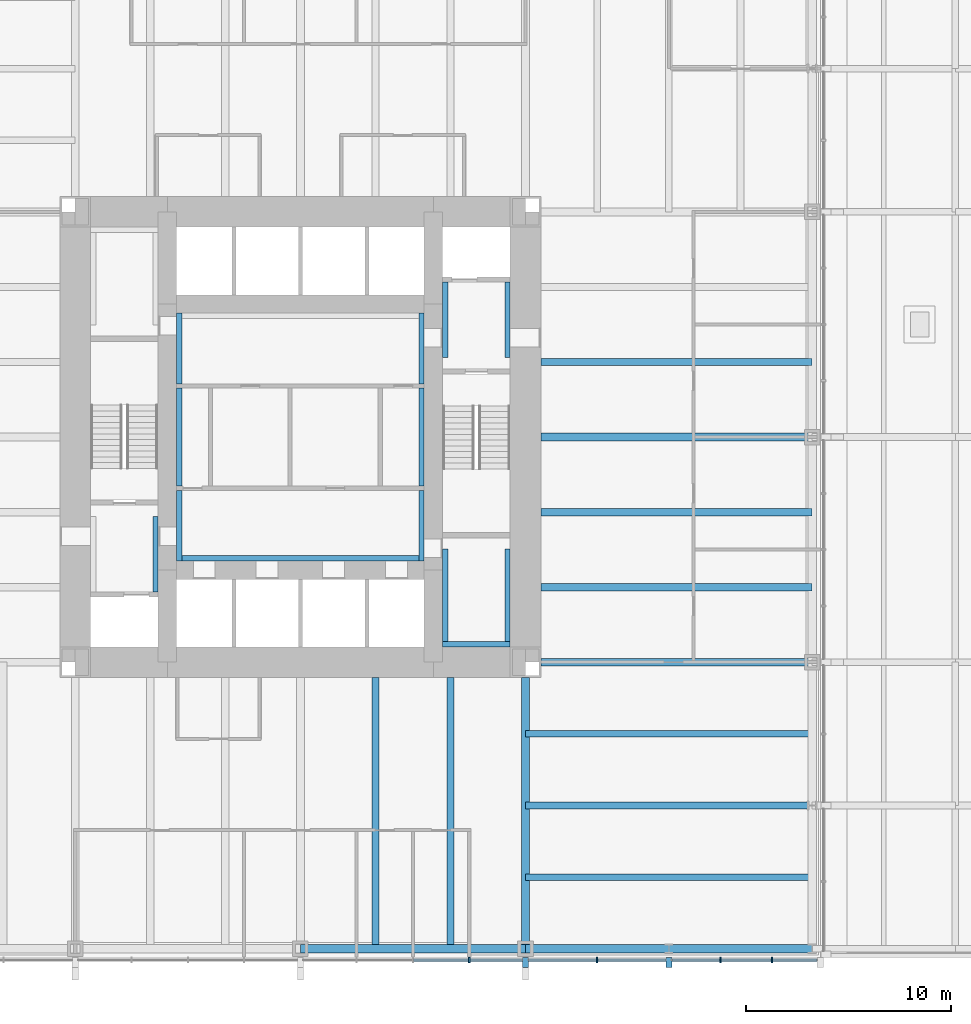
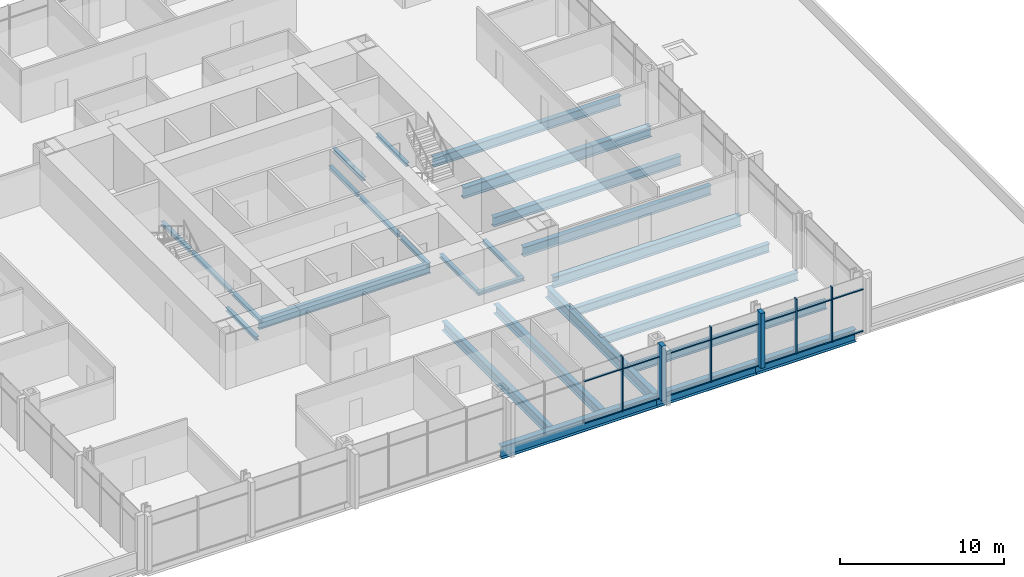
# One storey, part 4 of 15: 27 beams, 20 members, 1 element without a shape of its own.
"""IFC4 building model written with IfcOpenShell, lengths in metres."""

from ifc_helpers import new_model, si_unit, direction, frame, origin, origin_2d, place, context, subcontext, project, spatial, rectangle, i_section, extrude, material, material_profile, profile_set, type_object, element, aggregate, save


model = new_model("IFC4")

# Units and contexts
model_context = context("Model", 3, precision=1e-05, world=origin(), true_north=direction((0.0, 1.0)))
body_context = subcontext(model_context, "Body", "Model", "MODEL_VIEW")
ifc_project = project(units=[si_unit("LENGTHUNIT", "METRE"), si_unit("AREAUNIT", "SQUARE_METRE"), si_unit("VOLUMEUNIT", "CUBIC_METRE"), si_unit("PLANEANGLEUNIT", "RADIAN"), si_unit("MASSUNIT", "GRAM", prefix="KILO")], contexts=[model_context])

# Site, building, storey
site_placement = place(None, origin())
site = spatial("IfcSite", under=ifc_project, at=site_placement, CompositionType="ELEMENT")
building_placement = place(site_placement, origin())
building = spatial("IfcBuilding", under=site, at=building_placement, Name="Trevanion Tower", CompositionType="ELEMENT")
storey_placement = place(building_placement, frame((0.0, 0.0, 16.0)))
storey = spatial("IfcBuildingStorey", under=building, at=storey_placement, Name="L03", CompositionType="ELEMENT", Elevation=16.0)

# Beams
ifc_material_1 = material(Name="Steel ASTM A992 Grade 50", Category="steel")
ifc_material_profile_1 = material_profile(ifc_material_1, i_section(OverallWidth=0.355712890625, OverallDepth=0.700927734375, WebThickness=0.016845703125, FlangeThickness=0.02734375, at=origin_2d()), Name="W27X161")
ifc_profile_set_1 = profile_set([ifc_material_profile_1], Name="Steel ASTM A992 Grade 50")
beam_type_1 = type_object("IfcBeamType", Name="B1 W27X161", PredefinedType="BEAM", material=ifc_profile_set_1)
for number, where, z_axis, x_axis, name in (
    (1, (11.75, -7.333251953125, -0.54052734375), (1.0, 0.0, 0.0), (0.0, 1.0, 0.0), "B1 L03"),
    (2, (11.75, -3.666748046875, -0.54052734375), (1.0, 0.0, 0.0), (0.0, 1.0, 0.0), "B1 L03"),
    (3, (11.75, 3.666748046875, -0.54052734375), (1.0, 0.0, 0.0), (0.0, 1.0, 0.0), "B1 L03"),
    (4, (3.666748046875, -11.75, -0.54052734375), (0.0, -1.0, 0.0), (1.0, 0.0, 0.0), "B1 L03"),
    (5, (7.333251953125, -11.75, -0.54052734375), (0.0, -1.0, 0.0), (1.0, 0.0, 0.0), "B1 L03"),
):
    element("IfcBeam", number, at=place(storey_placement, frame(where, z_axis=z_axis, x_axis=x_axis)), inside=storey, type_object=beam_type_1, Name=name, PredefinedType="BEAM", context=body_context, shape_type="SweptSolid", body=[
        extrude(i_section(OverallWidth=0.355712890625, OverallDepth=0.700927734375, WebThickness=0.016845703125, FlangeThickness=0.02734375, at=origin_2d()), origin(), (0.0, 0.0, 1.0), 13.25),
    ])
ifc_material_2 = material(Name="Steel ASTM A992 Grade 50", Category="steel")
ifc_material_profile_2 = material_profile(ifc_material_2, i_section(OverallWidth=0.32763671875, OverallDepth=0.62744140625, WebThickness=0.0166015625, FlangeThickness=0.027587890625, at=origin_2d()), Name="W24X146")
ifc_profile_set_2 = profile_set([ifc_material_profile_2], Name="Steel ASTM A992 Grade 50")
beam_type_2 = type_object("IfcBeamType", Name="B2 W24X146", PredefinedType="BEAM", material=ifc_profile_set_2)
for number, where, z_axis, x_axis, name in (
    (6, (11.0, -14.5, -0.503662109375), (1.0, 0.0, 0.0), (0.0, 1.0, 0.0), "B2 L03"),
    (7, (11.0, -18.0, -0.503662109375), (1.0, 0.0, 0.0), (0.0, 1.0, 0.0), "B2 L03"),
    (8, (11.0, -21.5, -0.503662109375), (1.0, 0.0, 0.0), (0.0, 1.0, 0.0), "B2 L03"),
):
    element("IfcBeam", number, at=place(storey_placement, frame(where, z_axis=z_axis, x_axis=x_axis)), inside=storey, type_object=beam_type_2, Name=name, PredefinedType="BEAM", context=body_context, shape_type="SweptSolid", body=[
        extrude(i_section(OverallWidth=0.32763671875, OverallDepth=0.62744140625, WebThickness=0.0166015625, FlangeThickness=0.027587890625, at=origin_2d()), origin(), (0.0, 0.0, 1.0), 14.0),
    ])

# Curtain wall, members
ifc_material_3 = material(Name="Aluminium and glass", Category="aluminium")
curtain_wall_type = type_object("IfcCurtainWallType", Name="CW1 curtain wall", PredefinedType="USERDEFINED", material=ifc_material_3)
curtain_wall_placement = place(storey_placement, origin())
curtain_wall = element("IfcCurtainWall", 9, at=curtain_wall_placement, inside=storey, type_object=curtain_wall_type, Name="CW1 L03 3", ObjectType="UNITISED CURTAIN WALL", PredefinedType="USERDEFINED")
ifc_material_4 = material(Name="Aluminium extrusion, anodised bronze", Category="aluminium")
ifc_material_profile_3 = material_profile(ifc_material_4, rectangle(XDim=0.074951171875, YDim=0.25, at=origin_2d()), Name="CW1 mullion")
ifc_profile_set_3 = profile_set([ifc_material_profile_3], Name="Aluminium extrusion, anodised bronze")
member_type_1 = type_object("IfcMemberType", Name="CW1 mullion", PredefinedType="MULLION", material=ifc_profile_set_3)
member_1_placement = place(storey_placement, frame((8.25, -25.550048828125, -0.18994140625), z_axis=(0.0, 0.0, 1.0), x_axis=(1.0, 0.0, 0.0)))
member_1 = element("IfcMember", 10, at=member_1_placement, type_object=member_type_1, Name="CW1 mullion 12", PredefinedType="MULLION", context=body_context, shape_type="SweptSolid", body=[
    extrude(rectangle(XDim=0.074951171875, YDim=0.25, at=origin_2d()), origin(), (0.0, 0.0, 1.0), 4.099853515625),
])
member_2_placement = place(storey_placement, frame((14.5, -25.550048828125, -0.18994140625), z_axis=(0.0, 0.0, 1.0), x_axis=(1.0, 0.0, 0.0)))
member_2 = element("IfcMember", 11, at=member_2_placement, type_object=member_type_1, Name="CW1 mullion 14", PredefinedType="MULLION", context=body_context, shape_type="SweptSolid", body=[
    extrude(rectangle(XDim=0.074951171875, YDim=0.25, at=origin_2d()), origin(), (0.0, 0.0, 1.0), 4.099853515625),
])
member_3_placement = place(storey_placement, frame((20.5166015625, -25.550048828125, -0.18994140625), z_axis=(0.0, 0.0, 1.0), x_axis=(1.0, 0.0, 0.0)))
member_3 = element("IfcMember", 12, at=member_3_placement, type_object=member_type_1, Name="CW1 mullion 16", PredefinedType="MULLION", context=body_context, shape_type="SweptSolid", body=[
    extrude(rectangle(XDim=0.074951171875, YDim=0.25, at=origin_2d()), origin(), (0.0, 0.0, 1.0), 4.099853515625),
])
member_4_placement = place(storey_placement, frame((23.033203125, -25.550048828125, -0.18994140625), z_axis=(0.0, 0.0, 1.0), x_axis=(1.0, 0.0, 0.0)))
member_4 = element("IfcMember", 13, at=member_4_placement, type_object=member_type_1, Name="CW1 mullion 17", PredefinedType="MULLION", context=body_context, shape_type="SweptSolid", body=[
    extrude(rectangle(XDim=0.074951171875, YDim=0.25, at=origin_2d()), origin(), (0.0, 0.0, 1.0), 4.099853515625),
])
ifc_material_5 = material(Name="Aluminium extrusion, anodised bronze", Category="aluminium")
ifc_material_profile_4 = material_profile(ifc_material_5, rectangle(XDim=0.300048828125, YDim=0.5, at=origin_2d()), Name="CW1 pier mullion")
ifc_profile_set_4 = profile_set([ifc_material_profile_4], Name="Aluminium extrusion, anodised bronze")
member_type_2 = type_object("IfcMemberType", Name="CW1 pier mullion", PredefinedType="MULLION", material=ifc_profile_set_4)
member_5_placement = place(storey_placement, frame((11.0, -25.675048828125, -0.18994140625), z_axis=(0.0, 0.0, 1.0), x_axis=(1.0, 0.0, 0.0)))
member_5 = element("IfcMember", 14, at=member_5_placement, type_object=member_type_2, Name="CW1 pier mullion 13", PredefinedType="MULLION", context=body_context, shape_type="SweptSolid", body=[
    extrude(rectangle(XDim=0.300048828125, YDim=0.5, at=origin_2d()), origin(), (0.0, 0.0, 1.0), 4.099853515625),
])
member_6_placement = place(storey_placement, frame((18.0, -25.675048828125, -0.18994140625), z_axis=(0.0, 0.0, 1.0), x_axis=(1.0, 0.0, 0.0)))
member_6 = element("IfcMember", 15, at=member_6_placement, type_object=member_type_2, Name="CW1 pier mullion 15", PredefinedType="MULLION", context=body_context, shape_type="SweptSolid", body=[
    extrude(rectangle(XDim=0.300048828125, YDim=0.5, at=origin_2d()), origin(), (0.0, 0.0, 1.0), 4.099853515625),
])
ifc_material_6 = material(Name="Aluminium extrusion, anodised bronze", Category="aluminium")
ifc_material_profile_5 = material_profile(ifc_material_6, rectangle(XDim=0.14990234375, YDim=0.074951171875, at=origin_2d()), Name="CW1 transom")
ifc_profile_set_5 = profile_set([ifc_material_profile_5], Name="Aluminium extrusion, anodised bronze")
member_type_3 = type_object("IfcMemberType", Name="CW1 transom", PredefinedType="USERDEFINED", material=ifc_profile_set_5)
member_7_placement = place(storey_placement, frame((5.53759765625, -25.550048828125, -0.152587890625), z_axis=(1.0, 0.0, 0.0), x_axis=(0.0, 1.0, 0.0)))
member_7 = element("IfcMember", 16, at=member_7_placement, type_object=member_type_3, Name="CW1 transom 11.1", ObjectType="TRANSOM", PredefinedType="USERDEFINED", context=body_context, shape_type="SweptSolid", body=[
    extrude(rectangle(XDim=0.14990234375, YDim=0.074951171875, at=origin_2d()), origin(), (0.0, 0.0, 1.0), 2.6748046875),
])
member_8_placement = place(storey_placement, frame((5.53759765625, -25.550048828125, 2.9599609375), z_axis=(1.0, 0.0, 0.0), x_axis=(0.0, 1.0, 0.0)))
member_8 = element("IfcMember", 17, at=member_8_placement, type_object=member_type_3, Name="CW1 transom 11.2", ObjectType="TRANSOM", PredefinedType="USERDEFINED", context=body_context, shape_type="SweptSolid", body=[
    extrude(rectangle(XDim=0.14990234375, YDim=0.074951171875, at=origin_2d()), origin(), (0.0, 0.0, 1.0), 2.6748046875),
])
member_9_placement = place(storey_placement, frame((8.28759765625, -25.550048828125, -0.152587890625), z_axis=(1.0, 0.0, 0.0), x_axis=(0.0, 1.0, 0.0)))
member_9 = element("IfcMember", 18, at=member_9_placement, type_object=member_type_3, Name="CW1 transom 12.1", ObjectType="TRANSOM", PredefinedType="USERDEFINED", context=body_context, shape_type="SweptSolid", body=[
    extrude(rectangle(XDim=0.14990234375, YDim=0.074951171875, at=origin_2d()), origin(), (0.0, 0.0, 1.0), 2.5625),
])
member_10_placement = place(storey_placement, frame((8.28759765625, -25.550048828125, 2.9599609375), z_axis=(1.0, 0.0, 0.0), x_axis=(0.0, 1.0, 0.0)))
member_10 = element("IfcMember", 19, at=member_10_placement, type_object=member_type_3, Name="CW1 transom 12.2", ObjectType="TRANSOM", PredefinedType="USERDEFINED", context=body_context, shape_type="SweptSolid", body=[
    extrude(rectangle(XDim=0.14990234375, YDim=0.074951171875, at=origin_2d()), origin(), (0.0, 0.0, 1.0), 2.5625),
])
member_11_placement = place(storey_placement, frame((11.14990234375, -25.550048828125, -0.152587890625), z_axis=(1.0, 0.0, 0.0), x_axis=(0.0, 1.0, 0.0)))
member_11 = element("IfcMember", 20, at=member_11_placement, type_object=member_type_3, Name="CW1 transom 13.1", ObjectType="TRANSOM", PredefinedType="USERDEFINED", context=body_context, shape_type="SweptSolid", body=[
    extrude(rectangle(XDim=0.14990234375, YDim=0.074951171875, at=origin_2d()), origin(), (0.0, 0.0, 1.0), 3.3125),
])
member_12_placement = place(storey_placement, frame((11.14990234375, -25.550048828125, 2.9599609375), z_axis=(1.0, 0.0, 0.0), x_axis=(0.0, 1.0, 0.0)))
member_12 = element("IfcMember", 21, at=member_12_placement, type_object=member_type_3, Name="CW1 transom 13.2", ObjectType="TRANSOM", PredefinedType="USERDEFINED", context=body_context, shape_type="SweptSolid", body=[
    extrude(rectangle(XDim=0.14990234375, YDim=0.074951171875, at=origin_2d()), origin(), (0.0, 0.0, 1.0), 3.3125),
])
member_13_placement = place(storey_placement, frame((14.53759765625, -25.550048828125, -0.152587890625), z_axis=(1.0, 0.0, 0.0), x_axis=(0.0, 1.0, 0.0)))
member_13 = element("IfcMember", 22, at=member_13_placement, type_object=member_type_3, Name="CW1 transom 14.1", ObjectType="TRANSOM", PredefinedType="USERDEFINED", context=body_context, shape_type="SweptSolid", body=[
    extrude(rectangle(XDim=0.14990234375, YDim=0.074951171875, at=origin_2d()), origin(), (0.0, 0.0, 1.0), 3.3125),
])
member_14_placement = place(storey_placement, frame((14.53759765625, -25.550048828125, 2.9599609375), z_axis=(1.0, 0.0, 0.0), x_axis=(0.0, 1.0, 0.0)))
member_14 = element("IfcMember", 23, at=member_14_placement, type_object=member_type_3, Name="CW1 transom 14.2", ObjectType="TRANSOM", PredefinedType="USERDEFINED", context=body_context, shape_type="SweptSolid", body=[
    extrude(rectangle(XDim=0.14990234375, YDim=0.074951171875, at=origin_2d()), origin(), (0.0, 0.0, 1.0), 3.3125),
])
member_15_placement = place(storey_placement, frame((18.14990234375, -25.550048828125, -0.152587890625), z_axis=(1.0, 0.0, 0.0), x_axis=(0.0, 1.0, 0.0)))
member_15 = element("IfcMember", 24, at=member_15_placement, type_object=member_type_3, Name="CW1 transom 15.1", ObjectType="TRANSOM", PredefinedType="USERDEFINED", context=body_context, shape_type="SweptSolid", body=[
    extrude(rectangle(XDim=0.14990234375, YDim=0.074951171875, at=origin_2d()), origin(), (0.0, 0.0, 1.0), 2.329345703125),
])
member_16_placement = place(storey_placement, frame((18.14990234375, -25.550048828125, 2.9599609375), z_axis=(1.0, 0.0, 0.0), x_axis=(0.0, 1.0, 0.0)))
member_16 = element("IfcMember", 25, at=member_16_placement, type_object=member_type_3, Name="CW1 transom 15.2", ObjectType="TRANSOM", PredefinedType="USERDEFINED", context=body_context, shape_type="SweptSolid", body=[
    extrude(rectangle(XDim=0.14990234375, YDim=0.074951171875, at=origin_2d()), origin(), (0.0, 0.0, 1.0), 2.329345703125),
])
member_17_placement = place(storey_placement, frame((20.55419921875, -25.550048828125, -0.152587890625), z_axis=(1.0, 0.0, 0.0), x_axis=(0.0, 1.0, 0.0)))
member_17 = element("IfcMember", 26, at=member_17_placement, type_object=member_type_3, Name="CW1 transom 16.1", ObjectType="TRANSOM", PredefinedType="USERDEFINED", context=body_context, shape_type="SweptSolid", body=[
    extrude(rectangle(XDim=0.14990234375, YDim=0.074951171875, at=origin_2d()), origin(), (0.0, 0.0, 1.0), 2.441650390625),
])
member_18_placement = place(storey_placement, frame((20.55419921875, -25.550048828125, 2.9599609375), z_axis=(1.0, 0.0, 0.0), x_axis=(0.0, 1.0, 0.0)))
member_18 = element("IfcMember", 27, at=member_18_placement, type_object=member_type_3, Name="CW1 transom 16.2", ObjectType="TRANSOM", PredefinedType="USERDEFINED", context=body_context, shape_type="SweptSolid", body=[
    extrude(rectangle(XDim=0.14990234375, YDim=0.074951171875, at=origin_2d()), origin(), (0.0, 0.0, 1.0), 2.441650390625),
])
member_19_placement = place(storey_placement, frame((23.07080078125, -25.550048828125, -0.152587890625), z_axis=(1.0, 0.0, 0.0), x_axis=(0.0, 1.0, 0.0)))
member_19 = element("IfcMember", 28, at=member_19_placement, type_object=member_type_3, Name="CW1 transom 17.1", ObjectType="TRANSOM", PredefinedType="USERDEFINED", context=body_context, shape_type="SweptSolid", body=[
    extrude(rectangle(XDim=0.14990234375, YDim=0.074951171875, at=origin_2d()), origin(), (0.0, 0.0, 1.0), 2.17919921875),
])
member_20_placement = place(storey_placement, frame((23.07080078125, -25.550048828125, 2.9599609375), z_axis=(1.0, 0.0, 0.0), x_axis=(0.0, 1.0, 0.0)))
member_20 = element("IfcMember", 29, at=member_20_placement, type_object=member_type_3, Name="CW1 transom 17.2", ObjectType="TRANSOM", PredefinedType="USERDEFINED", context=body_context, shape_type="SweptSolid", body=[
    extrude(rectangle(XDim=0.14990234375, YDim=0.074951171875, at=origin_2d()), origin(), (0.0, 0.0, 1.0), 2.17919921875),
])
aggregate(curtain_wall, [member_1, member_5, member_2, member_6, member_3, member_4, member_7, member_8, member_9, member_10, member_11, member_12, member_13, member_14, member_15, member_16, member_17, member_18, member_19, member_20])

# Beams
ifc_material_7 = material(Name="Steel ASTM A992 Grade 50", Category="steel")
ifc_material_profile_6 = material_profile(ifc_material_7, i_section(OverallWidth=0.385986328125, OverallDepth=0.802734375, WebThickness=0.023681640625, FlangeThickness=0.0419921875, at=origin_2d()), Name="W30X261")
ifc_profile_set_6 = profile_set([ifc_material_profile_6], Name="Steel ASTM A992 Grade 50")
beam_type_3 = type_object("IfcBeamType", Name="G1 W30X261", PredefinedType="BEAM", material=ifc_profile_set_6)
for number, where, z_axis, x_axis, name in (
    (30, (11.75, -11.0, -0.59130859375), (1.0, 0.0, 0.0), (0.0, 1.0, 0.0), "G1 L03"),
    (31, (11.75, 0.0, -0.59130859375), (1.0, 0.0, 0.0), (0.0, 1.0, 0.0), "G1 L03"),
    (32, (11.0, -11.75, -0.59130859375), (0.0, -1.0, 0.0), (1.0, 0.0, 0.0), "G1 L03"),
):
    element("IfcBeam", number, at=place(storey_placement, frame(where, z_axis=z_axis, x_axis=x_axis)), inside=storey, type_object=beam_type_3, Name=name, PredefinedType="BEAM", context=body_context, shape_type="SweptSolid", body=[
        extrude(i_section(OverallWidth=0.385986328125, OverallDepth=0.802734375, WebThickness=0.023681640625, FlangeThickness=0.0419921875, at=origin_2d()), origin(), (0.0, 0.0, 1.0), 13.25),
    ])
ifc_material_8 = material(Name="Steel ASTM A992 Grade 50", Category="steel")
ifc_material_profile_7 = material_profile(ifc_material_8, i_section(OverallWidth=0.256591796875, OverallDepth=0.26416015625, WebThickness=0.011962890625, FlangeThickness=0.01953125, at=origin_2d()), Name="W10X68")
ifc_profile_set_7 = profile_set([ifc_material_profile_7], Name="Steel ASTM A992 Grade 50")
beam_type_4 = type_object("IfcBeamType", Name="LB1 W10X68", PredefinedType="BEAM", material=ifc_profile_set_7)
for number, where, z_axis, x_axis, name in (
    (33, (-5.921630859375, 2.60009765625, -0.33203125), (0.0, 1.0, 0.0), (-1.0, 0.0, 0.0), "LB1 L03"),
    (34, (5.921630859375, 2.60009765625, -0.33203125), (0.0, 1.0, 0.0), (-1.0, 0.0, 0.0), "LB1 L03"),
    (35, (-5.921630859375, -6.050048828125, -0.33203125), (0.0, 1.0, 0.0), (-1.0, 0.0, 0.0), "LB1 L03"),
    (36, (5.921630859375, -6.050048828125, -0.33203125), (0.0, 1.0, 0.0), (-1.0, 0.0, 0.0), "LB1 L03"),
):
    element("IfcBeam", number, at=place(storey_placement, frame(where, z_axis=z_axis, x_axis=x_axis)), inside=storey, type_object=beam_type_4, Name=name, PredefinedType="BEAM", context=body_context, shape_type="SweptSolid", body=[
        extrude(i_section(OverallWidth=0.256591796875, OverallDepth=0.26416015625, WebThickness=0.011962890625, FlangeThickness=0.01953125, at=origin_2d()), origin(), (0.0, 0.0, 1.0), 3.449951171875),
    ])
for number, where, z_axis, x_axis, name in (
    (37, (7.078369140625, 3.875, -0.33203125), (0.0, 1.0, 0.0), (-1.0, 0.0, 0.0), "LB1 L03"),
    (38, (10.12158203125, 3.875, -0.33203125), (0.0, 1.0, 0.0), (-1.0, 0.0, 0.0), "LB1 L03"),
    (39, (-7.078369140625, -7.574951171875, -0.33203125), (0.0, 1.0, 0.0), (-1.0, 0.0, 0.0), "LB1 L03"),
):
    element("IfcBeam", number, at=place(storey_placement, frame(where, z_axis=z_axis, x_axis=x_axis)), inside=storey, type_object=beam_type_4, Name=name, PredefinedType="BEAM", context=body_context, shape_type="SweptSolid", body=[
        extrude(i_section(OverallWidth=0.256591796875, OverallDepth=0.26416015625, WebThickness=0.011962890625, FlangeThickness=0.01953125, at=origin_2d()), origin(), (0.0, 0.0, 1.0), 3.699951171875),
    ])
for number, where, z_axis, x_axis, name in (
    (40, (7.078369140625, -10.25, -0.33203125), (0.0, 1.0, 0.0), (-1.0, 0.0, 0.0), "LB1 L03"),
    (41, (10.12158203125, -10.25, -0.33203125), (0.0, 1.0, 0.0), (-1.0, 0.0, 0.0), "LB1 L03"),
):
    element("IfcBeam", number, at=place(storey_placement, frame(where, z_axis=z_axis, x_axis=x_axis)), inside=storey, type_object=beam_type_4, Name=name, PredefinedType="BEAM", context=body_context, shape_type="SweptSolid", body=[
        extrude(i_section(OverallWidth=0.256591796875, OverallDepth=0.26416015625, WebThickness=0.011962890625, FlangeThickness=0.01953125, at=origin_2d()), origin(), (0.0, 0.0, 1.0), 4.77490234375),
    ])
beam_1_placement = place(storey_placement, frame((6.949951171875, -10.12158203125, -0.33203125), z_axis=(1.0, 0.0, 0.0), x_axis=(0.0, 1.0, 0.0)))
element("IfcBeam", 42, at=beam_1_placement, inside=storey, type_object=beam_type_4, Name="LB1 L03", PredefinedType="BEAM", context=body_context, shape_type="SweptSolid", body=[
    extrude(i_section(OverallWidth=0.256591796875, OverallDepth=0.26416015625, WebThickness=0.011962890625, FlangeThickness=0.01953125, at=origin_2d()), origin(), (0.0, 0.0, 1.0), 3.300048828125),
])
for number, where, z_axis, x_axis, name in (
    (43, (-5.921630859375, -2.39990234375, -0.33203125), (0.0, 1.0, 0.0), (-1.0, 0.0, 0.0), "LB1 L03"),
    (44, (5.921630859375, -2.39990234375, -0.33203125), (0.0, 1.0, 0.0), (-1.0, 0.0, 0.0), "LB1 L03"),
):
    element("IfcBeam", number, at=place(storey_placement, frame(where, z_axis=z_axis, x_axis=x_axis)), inside=storey, type_object=beam_type_4, Name=name, PredefinedType="BEAM", context=body_context, shape_type="SweptSolid", body=[
        extrude(i_section(OverallWidth=0.256591796875, OverallDepth=0.26416015625, WebThickness=0.011962890625, FlangeThickness=0.01953125, at=origin_2d()), origin(), (0.0, 0.0, 1.0), 4.7998046875),
    ])
ifc_material_9 = material(Name="Steel ASTM A992 Grade 50", Category="steel")
ifc_material_profile_8 = material_profile(ifc_material_9, i_section(OverallWidth=0.2666015625, OverallDepth=0.76953125, WebThickness=0.015625, FlangeThickness=0.025390625, at=origin_2d()), Name="W30X132")
ifc_profile_set_8 = profile_set([ifc_material_profile_8], Name="Steel ASTM A992 Grade 50")
beam_type_5 = type_object("IfcBeamType", Name="LB3 W30X132", PredefinedType="BEAM", material=ifc_profile_set_8)
beam_2_placement = place(storey_placement, frame((-6.050048828125, -5.91650390625, -0.584716796875), z_axis=(1.0, 0.0, 0.0), x_axis=(0.0, 1.0, 0.0)))
element("IfcBeam", 45, at=beam_2_placement, inside=storey, type_object=beam_type_5, Name="LB3 L03", PredefinedType="BEAM", context=body_context, shape_type="SweptSolid", body=[
    extrude(i_section(OverallWidth=0.2666015625, OverallDepth=0.76953125, WebThickness=0.015625, FlangeThickness=0.025390625, at=origin_2d()), origin(), (0.0, 0.0, 1.0), 12.10009765625),
])
ifc_material_10 = material(Name="Steel ASTM A992 Grade 50", Category="steel")
ifc_material_profile_9 = material_profile(ifc_material_10, i_section(OverallWidth=0.419189453125, OverallDepth=0.927001953125, WebThickness=0.019287109375, FlangeThickness=0.031982421875, at=origin_2d()), Name="W36X231")
ifc_profile_set_9 = profile_set([ifc_material_profile_9], Name="Steel ASTM A992 Grade 50")
beam_type_6 = type_object("IfcBeamType", Name="SB1 W36X231", PredefinedType="SPANDREL", material=ifc_profile_set_9)
beam_3_placement = place(storey_placement, frame((0.0, -25.0, -0.653564453125), z_axis=(1.0, 0.0, 0.0), x_axis=(0.0, 1.0, 0.0)))
element("IfcBeam", 46, at=beam_3_placement, inside=storey, type_object=beam_type_6, Name="SB1 L03", PredefinedType="SPANDREL", context=body_context, shape_type="SweptSolid", body=[
    extrude(i_section(OverallWidth=0.419189453125, OverallDepth=0.927001953125, WebThickness=0.019287109375, FlangeThickness=0.031982421875, at=origin_2d()), origin(), (0.0, 0.0, 1.0), 11.0),
])
for number, where, z_axis, x_axis, name in (
    (47, (11.0, -25.0, -0.653564453125), (1.0, 0.0, 0.0), (0.0, 1.0, 0.0), "SB1 L03"),
    (48, (18.0, -25.0, -0.653564453125), (1.0, 0.0, 0.0), (0.0, 1.0, 0.0), "SB1 L03"),
):
    element("IfcBeam", number, at=place(storey_placement, frame(where, z_axis=z_axis, x_axis=x_axis)), inside=storey, type_object=beam_type_6, Name=name, PredefinedType="SPANDREL", context=body_context, shape_type="SweptSolid", body=[
        extrude(i_section(OverallWidth=0.419189453125, OverallDepth=0.927001953125, WebThickness=0.019287109375, FlangeThickness=0.031982421875, at=origin_2d()), origin(), (0.0, 0.0, 1.0), 7.0),
    ])

save(model, "model.ifc")
